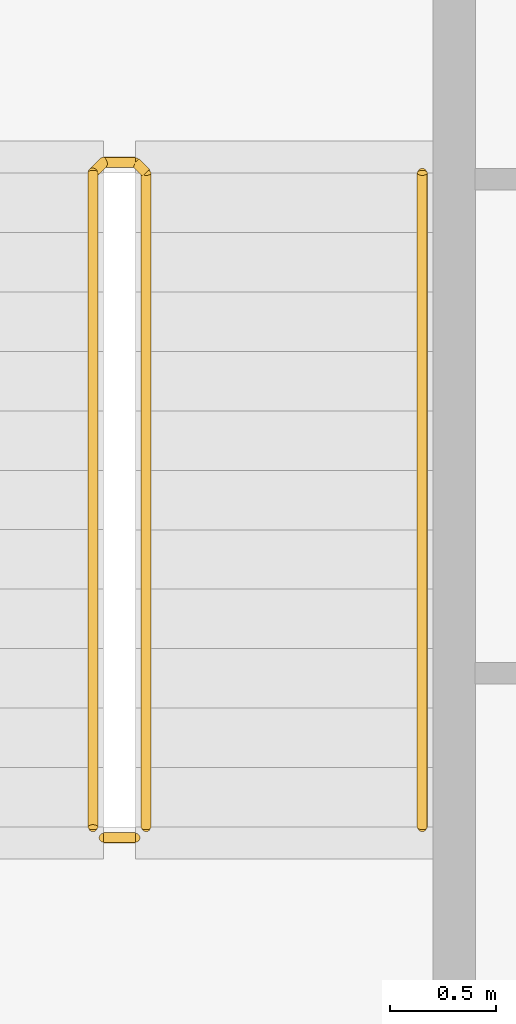
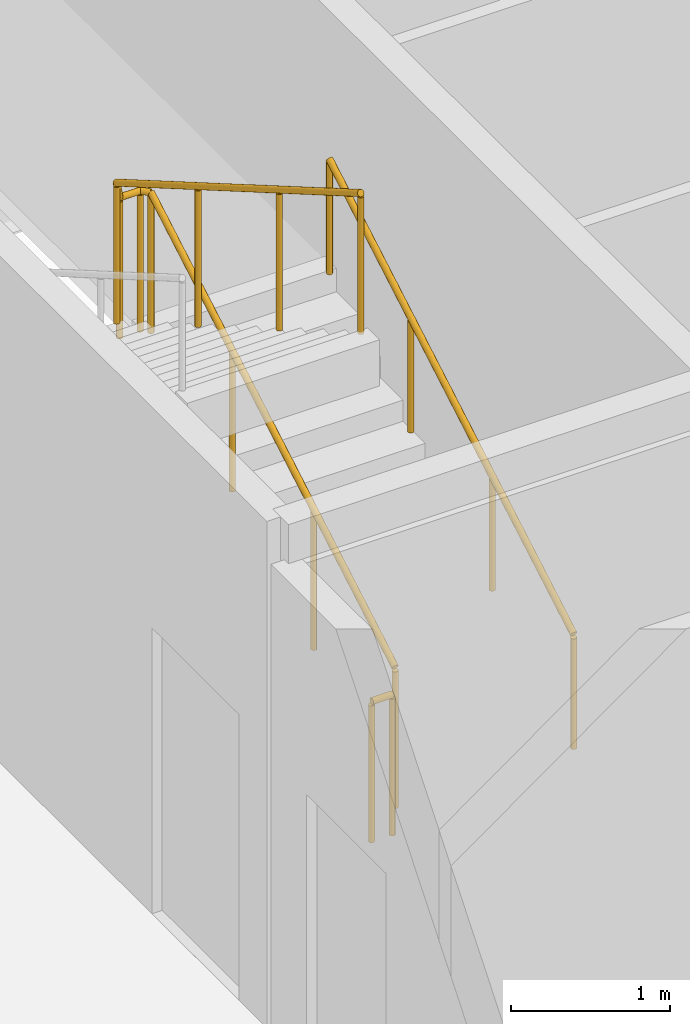
# One storey, part 26 of 27: 3 railings.
"""IFC4 building model written with IfcOpenShell, lengths in metres."""

from ifc_helpers import new_model, si_unit, direction, frame, origin, origin_2d, place, context, subcontext, project, spatial, circle, extrude, material, type_object, element, save


model = new_model("IFC4")

# Units and contexts
model_context = context("Model", 3, precision=1e-05, world=origin(), true_north=direction((0.0, 1.0)))
body_context = subcontext(model_context, "Body", "Model", "MODEL_VIEW")
ifc_project = project(units=[si_unit("LENGTHUNIT", "METRE"), si_unit("AREAUNIT", "SQUARE_METRE"), si_unit("VOLUMEUNIT", "CUBIC_METRE"), si_unit("PLANEANGLEUNIT", "RADIAN"), si_unit("MASSUNIT", "GRAM", prefix="KILO")], contexts=[model_context])

# Site, building, storey
site_placement = place(None, origin())
site = spatial("IfcSite", under=ifc_project, at=site_placement, CompositionType="ELEMENT")
building_placement = place(site_placement, origin())
building = spatial("IfcBuilding", under=site, at=building_placement, Name="Kheshtan School and Residences Tower", CompositionType="ELEMENT")
storey_placement = place(building_placement, frame((0.0, 0.0, 46.10009765625)))
storey = spatial("IfcBuildingStorey", under=building, at=storey_placement, Name="L10", CompositionType="ELEMENT", Elevation=46.10009765625)

# Railings
ifc_material_1 = material(Name="Stainless steel balustrade", Category="steel")
railing_type_1 = type_object("IfcRailingType", Name="Stair guard 1100", PredefinedType="GUARDRAIL", material=ifc_material_1)
railing_1_placement = place(storey_placement, frame((35.0, 80.89990234375, 0.162353515625)))
element("IfcRailing", 1, at=railing_1_placement, inside=storey, type_object=railing_type_1, Name="L10 ST3 stair guard 1", PredefinedType="GUARDRAIL", context=body_context, shape_type="SweptSolid", body=[
    extrude(circle(Radius=0.02392578125, at=origin_2d()), frame((0.0, 0.0, 1.076171875), z_axis=(0.0, 0.864890721111, 0.501960198159), x_axis=(-1.0, 0.0, 0.0)), (0.0, 0.0, 1.0), 3.561279296875),
    extrude(circle(Radius=0.02392578125, at=origin_2d()), frame((0.0, 3.080078125, 2.86376953125), z_axis=(-0.707106781187, 0.707106781187, 0.0), x_axis=(-0.707106781187, -0.707106781187, 0.0)), (0.0, 0.0, 1.0), 0.07080078125),
    extrude(circle(Radius=0.02392578125, at=origin_2d()), frame((-0.050048828125, 3.130126953125, 2.86376953125), z_axis=(-1.0, 0.0, 0.0), x_axis=(0.0, -1.0, 0.0)), (0.0, 0.0, 1.0), 0.14990234375),
    extrude(circle(Radius=0.02392578125, at=origin_2d()), frame((-0.199951171875, 3.130126953125, 2.86376953125), z_axis=(-0.282583949758, -0.282583949758, 0.916674763849), x_axis=(0.707106781187, -0.707106781187, 0.0)), (0.0, 0.0, 1.0), 0.177001953125),
    extrude(circle(Radius=0.02392578125, at=origin_2d()), frame((-0.25, 3.080078125, 3.02587890625), z_axis=(0.0, -0.864890721111, 0.501960198159), x_axis=(1.0, 0.0, 0.0)), (0.0, 0.0, 1.0), 3.561279296875),
    extrude(circle(Radius=0.02099609375, at=origin_2d()), origin(), (0.0, 0.0, 1.0), 1.052001953125),
    extrude(circle(Radius=0.02099609375, at=origin_2d()), frame((0.0, 1.026611328125, 0.595947265625)), (0.0, 0.0, 1.0), 1.052001953125),
    extrude(circle(Radius=0.02099609375, at=origin_2d()), frame((0.0, 2.053466796875, 1.191650390625)), (0.0, 0.0, 1.0), 1.052001953125),
    extrude(circle(Radius=0.02099609375, at=origin_2d()), frame((0.0, 3.080078125, 1.78759765625)), (0.0, 0.0, 1.0), 1.052001953125),
    extrude(circle(Radius=0.02099609375, at=origin_2d()), frame((-0.050048828125, 3.130126953125, 1.78759765625)), (0.0, 0.0, 1.0), 1.052001953125),
    extrude(circle(Radius=0.02099609375, at=origin_2d()), frame((-0.199951171875, 3.130126953125, 1.78759765625)), (0.0, 0.0, 1.0), 1.052001953125),
    extrude(circle(Radius=0.02099609375, at=origin_2d()), frame((-0.25, 3.080078125, 1.949951171875)), (0.0, 0.0, 1.0), 1.052001953125),
    extrude(circle(Radius=0.02099609375, at=origin_2d()), frame((-0.25, 2.053466796875, 2.5458984375)), (0.0, 0.0, 1.0), 1.052001953125),
    extrude(circle(Radius=0.02099609375, at=origin_2d()), frame((-0.25, 1.026611328125, 3.1416015625)), (0.0, 0.0, 1.0), 1.052001953125),
    extrude(circle(Radius=0.02099609375, at=origin_2d()), frame((-0.25, 0.0, 3.737548828125)), (0.0, 0.0, 1.0), 1.052001953125),
])
railing_2_placement = place(storey_placement, frame((34.949951171875, 80.85009765625, 0.0)))
element("IfcRailing", 2, at=railing_2_placement, inside=storey, type_object=railing_type_1, Name="L10 ST3 stair guard 2", PredefinedType="GUARDRAIL", context=body_context, shape_type="SweptSolid", body=[
    extrude(circle(Radius=0.02392578125, at=origin_2d()), frame((0.0, 0.0, 1.076171875), z_axis=(-1.0, 0.0, 0.0), x_axis=(0.0, -1.0, 0.0)), (0.0, 0.0, 1.0), 0.14990234375),
    extrude(circle(Radius=0.02099609375, at=origin_2d()), origin(), (0.0, 0.0, 1.0), 1.052001953125),
    extrude(circle(Radius=0.02099609375, at=origin_2d()), frame((-0.14990234375, 0.0, 0.0)), (0.0, 0.0, 1.0), 1.052001953125),
])
ifc_material_2 = material(Name="Stainless steel handrail", Category="steel")
railing_type_2 = type_object("IfcRailingType", Name="Stair handrail 900", PredefinedType="HANDRAIL", material=ifc_material_2)
railing_3_placement = place(storey_placement, frame((36.300048828125, 80.89990234375, 0.162353515625)))
element("IfcRailing", 3, at=railing_3_placement, inside=storey, type_object=railing_type_2, Name="L10 ST3 stair handrail 1", PredefinedType="HANDRAIL", context=body_context, shape_type="SweptSolid", body=[
    extrude(circle(Radius=0.02392578125, at=origin_2d()), frame((0.0, 0.0, 0.8759765625), z_axis=(0.0, 0.864890721111, 0.501960198159), x_axis=(-1.0, 0.0, 0.0)), (0.0, 0.0, 1.0), 3.561279296875),
    extrude(circle(Radius=0.02099609375, at=origin_2d()), origin(), (0.0, 0.0, 1.0), 0.851806640625),
    extrude(circle(Radius=0.02099609375, at=origin_2d()), frame((0.0, 1.026611328125, 0.595947265625)), (0.0, 0.0, 1.0), 0.851806640625),
    extrude(circle(Radius=0.02099609375, at=origin_2d()), frame((0.0, 2.053466796875, 1.191650390625)), (0.0, 0.0, 1.0), 0.851806640625),
    extrude(circle(Radius=0.02099609375, at=origin_2d()), frame((0.0, 3.080078125, 1.78759765625)), (0.0, 0.0, 1.0), 0.851806640625),
])

save(model, "model.ifc")
